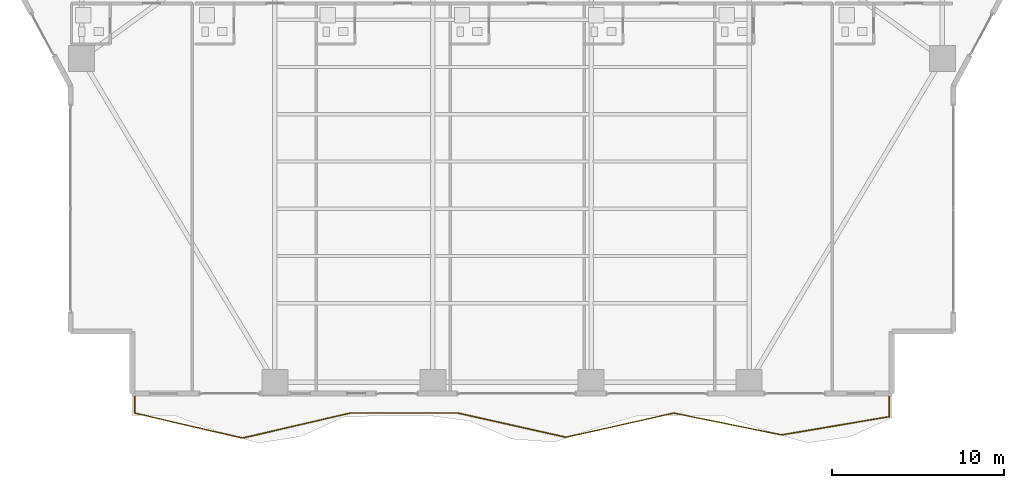
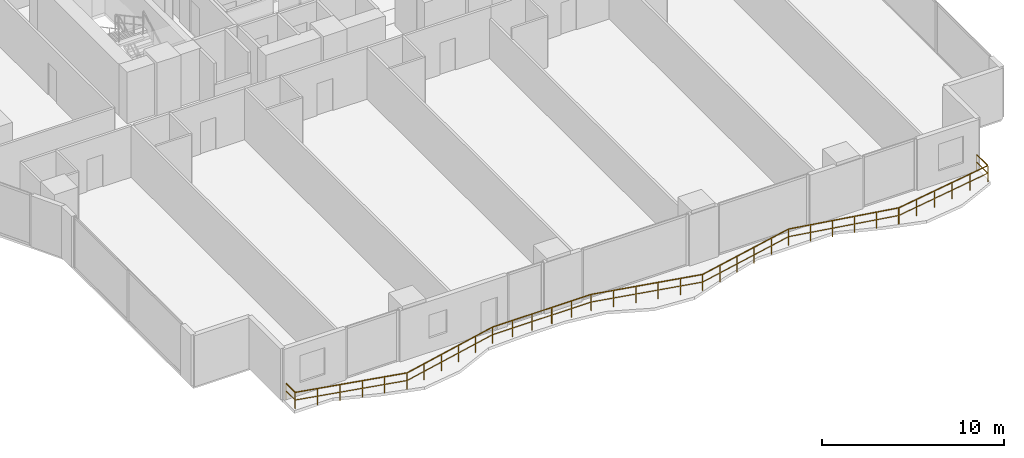
# One storey, part 24 of 28: 1 railing.
"""IFC4 building model written with IfcOpenShell, lengths in metres."""

from ifc_helpers import new_model, si_unit, direction, frame, origin, origin_2d, place, context, subcontext, project, spatial, rectangle, extrude, material, type_object, element, save


model = new_model("IFC4")

# Units and contexts
model_context = context("Model", 3, precision=1e-05, world=origin(), true_north=direction((0.0, 1.0)))
body_context = subcontext(model_context, "Body", "Model", "MODEL_VIEW")
ifc_project = project(units=[si_unit("LENGTHUNIT", "METRE"), si_unit("AREAUNIT", "SQUARE_METRE"), si_unit("VOLUMEUNIT", "CUBIC_METRE"), si_unit("PLANEANGLEUNIT", "RADIAN"), si_unit("MASSUNIT", "GRAM", prefix="KILO")], contexts=[model_context])

# Site, building, storey
site_placement = place(None, origin())
site = spatial("IfcSite", under=ifc_project, at=site_placement, CompositionType="ELEMENT")
building_placement = place(site_placement, origin())
building = spatial("IfcBuilding", under=site, at=building_placement, Name="Zuhayl Quay Hotel", CompositionType="ELEMENT")
storey_placement = place(building_placement, frame((0.0, 0.0, 56.800048828125)))
storey = spatial("IfcBuildingStorey", under=building, at=storey_placement, Name="L13", CompositionType="ELEMENT", Elevation=56.800048828125)

# Railing
ifc_material = material(Name="Anodised Aluminium and Laminated Glass", Category="aluminium")
railing_type = type_object("IfcRailingType", Name="RL_EXT_BAL_1100", PredefinedType="BALUSTRADE", material=ifc_material)
railing_placement = place(storey_placement, frame((-21.9599609375, -23.219970703125, 0.0)))
element("IfcRailing", 1, at=railing_placement, inside=storey, type_object=railing_type, Name="L13 Balcony and Terrace Guard GR_L13_BAL_S", PredefinedType="BALUSTRADE", context=body_context, shape_type="SweptSolid", body=[
    extrude(rectangle(XDim=0.048095703125, YDim=0.048095703125, at=origin_2d()), frame((0.0, 0.0, 1.09619140625), z_axis=(0.0, -1.0, 0.0), x_axis=(1.0, 0.0, 0.0)), (0.0, 0.0, 1.0), 1.02001953125),
    extrude(rectangle(XDim=0.0361328125, YDim=0.0361328125, at=origin_2d()), frame((0.0, 0.0, 0.58251953125), z_axis=(0.0, -1.0, 0.0), x_axis=(1.0, 0.0, 0.0)), (0.0, 0.0, 1.0), 1.02001953125),
    extrude(rectangle(XDim=0.048095703125, YDim=0.048095703125, at=origin_2d()), frame((0.0, -1.02001953125, 1.09619140625), z_axis=(0.974112554843, -0.22606355411, 0.0), x_axis=(0.22606355411, 0.974112554843, 0.0)), (0.0, 0.0, 1.0), 6.44091796875),
    extrude(rectangle(XDim=0.0361328125, YDim=0.0361328125, at=origin_2d()), frame((0.0, -1.02001953125, 0.58251953125), z_axis=(0.974112554843, -0.22606355411, 0.0), x_axis=(0.22606355411, 0.974112554843, 0.0)), (0.0, 0.0, 1.0), 6.44091796875),
    extrude(rectangle(XDim=0.048095703125, YDim=0.048095703125, at=origin_2d()), frame((6.274169921875, -2.47607421875, 1.09619140625), z_axis=(0.974114491845, 0.226055207368, 0.0), x_axis=(-0.226055207368, 0.974114491845, 0.0)), (0.0, 0.0, 1.0), 6.441162109375),
    extrude(rectangle(XDim=0.0361328125, YDim=0.0361328125, at=origin_2d()), frame((6.274169921875, -2.47607421875, 0.58251953125), z_axis=(0.974114491845, 0.226055207368, 0.0), x_axis=(-0.226055207368, 0.974114491845, 0.0)), (0.0, 0.0, 1.0), 6.441162109375),
    extrude(rectangle(XDim=0.048095703125, YDim=0.048095703125, at=origin_2d()), frame((12.548583984375, -1.02001953125, 1.09619140625), z_axis=(1.0, 0.0, 0.0), x_axis=(0.0, 1.0, 0.0)), (0.0, 0.0, 1.0), 6.274169921875),
    extrude(rectangle(XDim=0.0361328125, YDim=0.0361328125, at=origin_2d()), frame((12.548583984375, -1.02001953125, 0.58251953125), z_axis=(1.0, 0.0, 0.0), x_axis=(0.0, 1.0, 0.0)), (0.0, 0.0, 1.0), 6.274169921875),
    extrude(rectangle(XDim=0.048095703125, YDim=0.048095703125, at=origin_2d()), frame((18.82275390625, -1.02001953125, 1.09619140625), z_axis=(0.975727511156, -0.21898818227, 0.0), x_axis=(0.21898818227, 0.975727511156, 0.0)), (0.0, 0.0, 1.0), 6.430419921875),
    extrude(rectangle(XDim=0.0361328125, YDim=0.0361328125, at=origin_2d()), frame((18.82275390625, -1.02001953125, 0.58251953125), z_axis=(0.975727511156, -0.21898818227, 0.0), x_axis=(0.21898818227, 0.975727511156, 0.0)), (0.0, 0.0, 1.0), 6.430419921875),
    extrude(rectangle(XDim=0.048095703125, YDim=0.048095703125, at=origin_2d()), frame((25.09716796875, -2.42822265625, 1.09619140625), z_axis=(0.975725690361, 0.218996294875, 0.0), x_axis=(-0.218996294875, 0.975725690361, 0.0)), (0.0, 0.0, 1.0), 6.43017578125),
    extrude(rectangle(XDim=0.0361328125, YDim=0.0361328125, at=origin_2d()), frame((25.09716796875, -2.42822265625, 0.58251953125), z_axis=(0.975725690361, 0.218996294875, 0.0), x_axis=(-0.218996294875, 0.975725690361, 0.0)), (0.0, 0.0, 1.0), 6.43017578125),
    extrude(rectangle(XDim=0.048095703125, YDim=0.048095703125, at=origin_2d()), frame((31.371337890625, -1.02001953125, 1.09619140625), z_axis=(0.98006396344, -0.198682227608, 0.0), x_axis=(0.198682227608, 0.98006396344, 0.0)), (0.0, 0.0, 1.0), 6.402099609375),
    extrude(rectangle(XDim=0.0361328125, YDim=0.0361328125, at=origin_2d()), frame((31.371337890625, -1.02001953125, 0.58251953125), z_axis=(0.98006396344, -0.198682227608, 0.0), x_axis=(0.198682227608, 0.98006396344, 0.0)), (0.0, 0.0, 1.0), 6.402099609375),
    extrude(rectangle(XDim=0.048095703125, YDim=0.048095703125, at=origin_2d()), frame((37.645751953125, -2.2919921875, 1.09619140625), z_axis=(0.985981273888, 0.16685600841, 0.0), x_axis=(-0.16685600841, 0.985981273888, 0.0)), (0.0, 0.0, 1.0), 6.36328125),
    extrude(rectangle(XDim=0.0361328125, YDim=0.0361328125, at=origin_2d()), frame((37.645751953125, -2.2919921875, 0.58251953125), z_axis=(0.985981273888, 0.16685600841, 0.0), x_axis=(-0.16685600841, 0.985981273888, 0.0)), (0.0, 0.0, 1.0), 6.36328125),
    extrude(rectangle(XDim=0.048095703125, YDim=0.048095703125, at=origin_2d()), frame((43.919921875, -1.230224609375, 1.09619140625), z_axis=(0.0, 1.0, 0.0), x_axis=(-1.0, 0.0, 0.0)), (0.0, 0.0, 1.0), 1.230224609375),
    extrude(rectangle(XDim=0.0361328125, YDim=0.0361328125, at=origin_2d()), frame((43.919921875, -1.230224609375, 0.58251953125), z_axis=(0.0, 1.0, 0.0), x_axis=(-1.0, 0.0, 0.0)), (0.0, 0.0, 1.0), 1.230224609375),
    extrude(rectangle(XDim=0.0419921875, YDim=0.0419921875, at=origin_2d()), origin(), (0.0, 0.0, 1.0), 1.072021484375),
    extrude(rectangle(XDim=0.0419921875, YDim=0.0419921875, at=origin_2d()), frame((0.0, -1.02001953125, 0.0)), (0.0, 0.0, 1.0), 1.072021484375),
    extrude(rectangle(XDim=0.0419921875, YDim=0.0419921875, at=origin_2d()), frame((1.2548828125, -1.311279296875, 0.0)), (0.0, 0.0, 1.0), 1.072021484375),
    extrude(rectangle(XDim=0.0419921875, YDim=0.0419921875, at=origin_2d()), frame((2.509765625, -1.6025390625, 0.0)), (0.0, 0.0, 1.0), 1.072021484375),
    extrude(rectangle(XDim=0.0419921875, YDim=0.0419921875, at=origin_2d()), frame((3.764404296875, -1.8935546875, 0.0)), (0.0, 0.0, 1.0), 1.072021484375),
    extrude(rectangle(XDim=0.0419921875, YDim=0.0419921875, at=origin_2d()), frame((5.019287109375, -2.184814453125, 0.0)), (0.0, 0.0, 1.0), 1.072021484375),
    extrude(rectangle(XDim=0.0419921875, YDim=0.0419921875, at=origin_2d()), frame((6.274169921875, -2.47607421875, 0.0)), (0.0, 0.0, 1.0), 1.072021484375),
    extrude(rectangle(XDim=0.0419921875, YDim=0.0419921875, at=origin_2d()), frame((7.529052734375, -2.184814453125, 0.0)), (0.0, 0.0, 1.0), 1.072021484375),
    extrude(rectangle(XDim=0.0419921875, YDim=0.0419921875, at=origin_2d()), frame((8.783935546875, -1.8935546875, 0.0)), (0.0, 0.0, 1.0), 1.072021484375),
    extrude(rectangle(XDim=0.0419921875, YDim=0.0419921875, at=origin_2d()), frame((10.038818359375, -1.6025390625, 0.0)), (0.0, 0.0, 1.0), 1.072021484375),
    extrude(rectangle(XDim=0.0419921875, YDim=0.0419921875, at=origin_2d()), frame((11.293701171875, -1.311279296875, 0.0)), (0.0, 0.0, 1.0), 1.072021484375),
    extrude(rectangle(XDim=0.0419921875, YDim=0.0419921875, at=origin_2d()), frame((12.548583984375, -1.02001953125, 0.0)), (0.0, 0.0, 1.0), 1.072021484375),
    extrude(rectangle(XDim=0.0419921875, YDim=0.0419921875, at=origin_2d()), frame((13.803466796875, -1.02001953125, 0.0)), (0.0, 0.0, 1.0), 1.072021484375),
    extrude(rectangle(XDim=0.0419921875, YDim=0.0419921875, at=origin_2d()), frame((15.058349609375, -1.02001953125, 0.0)), (0.0, 0.0, 1.0), 1.072021484375),
    extrude(rectangle(XDim=0.0419921875, YDim=0.0419921875, at=origin_2d()), frame((16.31298828125, -1.02001953125, 0.0)), (0.0, 0.0, 1.0), 1.072021484375),
    extrude(rectangle(XDim=0.0419921875, YDim=0.0419921875, at=origin_2d()), frame((17.56787109375, -1.02001953125, 0.0)), (0.0, 0.0, 1.0), 1.072021484375),
    extrude(rectangle(XDim=0.0419921875, YDim=0.0419921875, at=origin_2d()), frame((18.82275390625, -1.02001953125, 0.0)), (0.0, 0.0, 1.0), 1.072021484375),
    extrude(rectangle(XDim=0.0419921875, YDim=0.0419921875, at=origin_2d()), frame((20.07763671875, -1.3017578125, 0.0)), (0.0, 0.0, 1.0), 1.072021484375),
    extrude(rectangle(XDim=0.0419921875, YDim=0.0419921875, at=origin_2d()), frame((21.33251953125, -1.583251953125, 0.0)), (0.0, 0.0, 1.0), 1.072021484375),
    extrude(rectangle(XDim=0.0419921875, YDim=0.0419921875, at=origin_2d()), frame((22.58740234375, -1.864990234375, 0.0)), (0.0, 0.0, 1.0), 1.072021484375),
    extrude(rectangle(XDim=0.0419921875, YDim=0.0419921875, at=origin_2d()), frame((23.84228515625, -2.146484375, 0.0)), (0.0, 0.0, 1.0), 1.072021484375),
    extrude(rectangle(XDim=0.0419921875, YDim=0.0419921875, at=origin_2d()), frame((25.09716796875, -2.42822265625, 0.0)), (0.0, 0.0, 1.0), 1.072021484375),
    extrude(rectangle(XDim=0.0419921875, YDim=0.0419921875, at=origin_2d()), frame((26.35205078125, -2.146484375, 0.0)), (0.0, 0.0, 1.0), 1.072021484375),
    extrude(rectangle(XDim=0.0419921875, YDim=0.0419921875, at=origin_2d()), frame((27.60693359375, -1.864990234375, 0.0)), (0.0, 0.0, 1.0), 1.072021484375),
    extrude(rectangle(XDim=0.0419921875, YDim=0.0419921875, at=origin_2d()), frame((28.861572265625, -1.583251953125, 0.0)), (0.0, 0.0, 1.0), 1.072021484375),
    extrude(rectangle(XDim=0.0419921875, YDim=0.0419921875, at=origin_2d()), frame((30.116455078125, -1.3017578125, 0.0)), (0.0, 0.0, 1.0), 1.072021484375),
    extrude(rectangle(XDim=0.0419921875, YDim=0.0419921875, at=origin_2d()), frame((31.371337890625, -1.02001953125, 0.0)), (0.0, 0.0, 1.0), 1.072021484375),
    extrude(rectangle(XDim=0.0419921875, YDim=0.0419921875, at=origin_2d()), frame((32.626220703125, -1.2744140625, 0.0)), (0.0, 0.0, 1.0), 1.072021484375),
    extrude(rectangle(XDim=0.0419921875, YDim=0.0419921875, at=origin_2d()), frame((33.881103515625, -1.52880859375, 0.0)), (0.0, 0.0, 1.0), 1.072021484375),
    extrude(rectangle(XDim=0.0419921875, YDim=0.0419921875, at=origin_2d()), frame((35.135986328125, -1.783203125, 0.0)), (0.0, 0.0, 1.0), 1.072021484375),
    extrude(rectangle(XDim=0.0419921875, YDim=0.0419921875, at=origin_2d()), frame((36.390869140625, -2.03759765625, 0.0)), (0.0, 0.0, 1.0), 1.072021484375),
    extrude(rectangle(XDim=0.0419921875, YDim=0.0419921875, at=origin_2d()), frame((37.645751953125, -2.2919921875, 0.0)), (0.0, 0.0, 1.0), 1.072021484375),
    extrude(rectangle(XDim=0.0419921875, YDim=0.0419921875, at=origin_2d()), frame((38.900634765625, -2.07958984375, 0.0)), (0.0, 0.0, 1.0), 1.072021484375),
    extrude(rectangle(XDim=0.0419921875, YDim=0.0419921875, at=origin_2d()), frame((40.155517578125, -1.8671875, 0.0)), (0.0, 0.0, 1.0), 1.072021484375),
    extrude(rectangle(XDim=0.0419921875, YDim=0.0419921875, at=origin_2d()), frame((41.41015625, -1.655029296875, 0.0)), (0.0, 0.0, 1.0), 1.072021484375),
    extrude(rectangle(XDim=0.0419921875, YDim=0.0419921875, at=origin_2d()), frame((42.6650390625, -1.442626953125, 0.0)), (0.0, 0.0, 1.0), 1.072021484375),
    extrude(rectangle(XDim=0.0419921875, YDim=0.0419921875, at=origin_2d()), frame((43.919921875, -1.230224609375, 0.0)), (0.0, 0.0, 1.0), 1.072021484375),
    extrude(rectangle(XDim=0.0419921875, YDim=0.0419921875, at=origin_2d()), frame((43.919921875, 0.0, 0.0)), (0.0, 0.0, 1.0), 1.072021484375),
])

save(model, "model.ifc")
